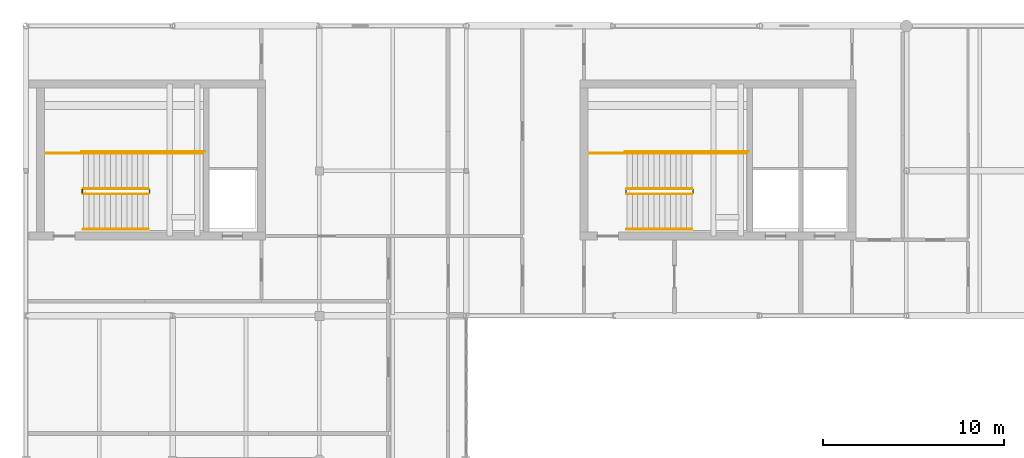
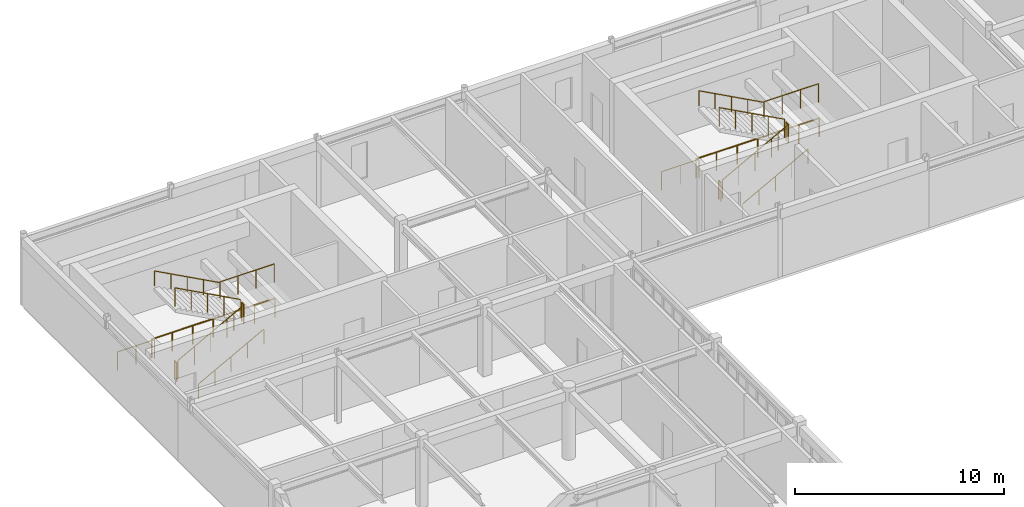
# One storey, part 17 of 18: 18 railings.
"""IFC4 building model written with IfcOpenShell, lengths in metres."""

from ifc_helpers import new_model, si_unit, direction, frame, origin, origin_2d, place, context, subcontext, project, spatial, circle, extrude, material, type_object, element, save


model = new_model("IFC4")

# Units and contexts
model_context = context("Model", 3, precision=1e-05, world=origin(), true_north=direction((0.0, 1.0)))
body_context = subcontext(model_context, "Body", "Model", "MODEL_VIEW")
ifc_project = project(units=[si_unit("LENGTHUNIT", "METRE"), si_unit("AREAUNIT", "SQUARE_METRE"), si_unit("VOLUMEUNIT", "CUBIC_METRE"), si_unit("PLANEANGLEUNIT", "RADIAN"), si_unit("MASSUNIT", "GRAM", prefix="KILO")], contexts=[model_context])

# Site, building, storey
site_placement = place(None, origin())
site = spatial("IfcSite", under=ifc_project, at=site_placement, CompositionType="ELEMENT")
building_placement = place(site_placement, origin())
building = spatial("IfcBuilding", under=site, at=building_placement, Name="Tarnveldt Square Police Headquarters", CompositionType="ELEMENT")
storey_placement = place(building_placement, frame((0.0, 0.0, 29.10009765625)))
storey = spatial("IfcBuildingStorey", under=building, at=storey_placement, Name="L06", CompositionType="ELEMENT", Elevation=29.10009765625)

# Railings
ifc_material = material(Name="Steel 350W", Category="steel")
railing_type_1 = type_object("IfcRailingType", Name="RL-GR-1100", PredefinedType="GUARDRAIL", material=ifc_material)
railing_1_placement = place(storey_placement, frame((19.3701171875, 102.719970703125, 0.161376953125)))
element("IfcRailing", 1, at=railing_1_placement, inside=storey, type_object=railing_type_1, Name="L06 ST2 stair guard 1", PredefinedType="GUARDRAIL", context=body_context, shape_type="SweptSolid", body=[
    extrude(circle(Radius=0.02392578125, at=origin_2d()), frame((0.0, 0.0, 1.076171875), z_axis=(0.880461512865, 0.0, 0.474117627138), x_axis=(0.0, 1.0, 0.0)), (0.0, 0.0, 1.0), 4.088623046875),
    extrude(circle(Radius=0.02099609375, at=origin_2d()), origin(), (0.0, 0.0, 1.0), 1.052001953125),
    extrude(circle(Radius=0.02099609375, at=origin_2d()), frame((0.89990234375, 0.0, 0.484619140625)), (0.0, 0.0, 1.0), 1.052001953125),
    extrude(circle(Radius=0.02099609375, at=origin_2d()), frame((1.7998046875, 0.0, 0.96923828125)), (0.0, 0.0, 1.0), 1.052001953125),
    extrude(circle(Radius=0.02099609375, at=origin_2d()), frame((2.699951171875, 0.0, 1.453857421875)), (0.0, 0.0, 1.0), 1.052001953125),
    extrude(circle(Radius=0.02099609375, at=origin_2d()), frame((3.599853515625, 0.0, 1.9384765625)), (0.0, 0.0, 1.0), 1.052001953125),
])
railing_2_placement = place(storey_placement, frame((23.02001953125, 102.77001953125, 2.099853515625)))
element("IfcRailing", 2, at=railing_2_placement, inside=storey, type_object=railing_type_1, Name="L06 ST2 stair guard 2", PredefinedType="GUARDRAIL", context=body_context, shape_type="SweptSolid", body=[
    extrude(circle(Radius=0.02392578125, at=origin_2d()), frame((0.0, 0.0, 1.076171875), z_axis=(0.0, 1.0, 0.0), x_axis=(-1.0, 0.0, 0.0)), (0.0, 0.0, 1.0), 0.199951171875),
    extrude(circle(Radius=0.02099609375, at=origin_2d()), origin(), (0.0, 0.0, 1.0), 1.052001953125),
    extrude(circle(Radius=0.02099609375, at=origin_2d()), frame((0.0, 0.199951171875, 0.0)), (0.0, 0.0, 1.0), 1.052001953125),
])
railing_3_placement = place(storey_placement, frame((22.969970703125, 104.969970703125, 2.099853515625)))
element("IfcRailing", 3, at=railing_3_placement, inside=storey, type_object=railing_type_1, Name="L06 ST2 stair guard 3", PredefinedType="GUARDRAIL", context=body_context, shape_type="SweptSolid", body=[
    extrude(circle(Radius=0.02392578125, at=origin_2d()), frame((0.0, 0.0, 1.076171875), z_axis=(1.0, 0.0, 0.0), x_axis=(0.0, 1.0, 0.0)), (0.0, 0.0, 1.0), 3.0),
    extrude(circle(Radius=0.02099609375, at=origin_2d()), origin(), (0.0, 0.0, 1.0), 1.052001953125),
    extrude(circle(Radius=0.02099609375, at=origin_2d()), frame((1.0, 0.0, 0.0)), (0.0, 0.0, 1.0), 1.052001953125),
    extrude(circle(Radius=0.02099609375, at=origin_2d()), frame((2.0, 0.0, 0.0)), (0.0, 0.0, 1.0), 1.052001953125),
    extrude(circle(Radius=0.02099609375, at=origin_2d()), frame((3.0, 0.0, 0.0)), (0.0, 0.0, 1.0), 1.052001953125),
])
railing_4_placement = place(storey_placement, frame((22.969970703125, 103.02001953125, 2.261474609375)))
element("IfcRailing", 4, at=railing_4_placement, inside=storey, type_object=railing_type_1, Name="L06 ST2 stair guard 4", PredefinedType="GUARDRAIL", context=body_context, shape_type="SweptSolid", body=[
    extrude(circle(Radius=0.02392578125, at=origin_2d()), frame((0.0, 0.0, 1.076171875), z_axis=(-0.880461512865, 0.0, 0.474117627138), x_axis=(0.0, -1.0, 0.0)), (0.0, 0.0, 1.0), 4.088623046875),
    extrude(circle(Radius=0.02099609375, at=origin_2d()), origin(), (0.0, 0.0, 1.0), 1.052001953125),
    extrude(circle(Radius=0.02099609375, at=origin_2d()), frame((-0.89990234375, 0.0, 0.484619140625)), (0.0, 0.0, 1.0), 1.052001953125),
    extrude(circle(Radius=0.02099609375, at=origin_2d()), frame((-1.7998046875, 0.0, 0.96923828125)), (0.0, 0.0, 1.0), 1.052001953125),
    extrude(circle(Radius=0.02099609375, at=origin_2d()), frame((-2.699951171875, 0.0, 1.453857421875)), (0.0, 0.0, 1.0), 1.052001953125),
    extrude(circle(Radius=0.02099609375, at=origin_2d()), frame((-3.599853515625, 0.0, 1.9384765625)), (0.0, 0.0, 1.0), 1.052001953125),
])
railing_5_placement = place(storey_placement, frame((19.320068359375, 102.77001953125, 0.0)))
element("IfcRailing", 5, at=railing_5_placement, inside=storey, type_object=railing_type_1, Name="L06 ST2 stair guard 5", PredefinedType="GUARDRAIL", context=body_context, shape_type="SweptSolid", body=[
    extrude(circle(Radius=0.02392578125, at=origin_2d()), frame((0.0, 0.0, 1.076171875), z_axis=(0.0, 1.0, 0.0), x_axis=(-1.0, 0.0, 0.0)), (0.0, 0.0, 1.0), 0.199951171875),
    extrude(circle(Radius=0.02099609375, at=origin_2d()), origin(), (0.0, 0.0, 1.0), 1.052001953125),
    extrude(circle(Radius=0.02099609375, at=origin_2d()), frame((0.0, 0.199951171875, 0.0)), (0.0, 0.0, 1.0), 1.052001953125),
])
railing_6_placement = place(storey_placement, frame((17.320068359375, 104.969970703125, 0.0)))
element("IfcRailing", 6, at=railing_6_placement, inside=storey, type_object=railing_type_1, Name="L06 ST2 stair guard 6", PredefinedType="GUARDRAIL", context=body_context, shape_type="SweptSolid", body=[
    extrude(circle(Radius=0.02392578125, at=origin_2d()), frame((0.0, 0.0, 1.076171875), z_axis=(1.0, 0.0, 0.0), x_axis=(0.0, 1.0, 0.0)), (0.0, 0.0, 1.0), 2.050048828125),
    extrude(circle(Radius=0.02099609375, at=origin_2d()), origin(), (0.0, 0.0, 1.0), 1.052001953125),
    extrude(circle(Radius=0.02099609375, at=origin_2d()), frame((1.02490234375, 0.0, 0.0)), (0.0, 0.0, 1.0), 1.052001953125),
    extrude(circle(Radius=0.02099609375, at=origin_2d()), frame((2.050048828125, 0.0, 0.0)), (0.0, 0.0, 1.0), 1.052001953125),
])
railing_7_placement = place(storey_placement, frame((19.27001953125, 105.070068359375, 0.0)))
element("IfcRailing", 7, at=railing_7_placement, inside=storey, type_object=railing_type_1, Name="L06 ST2 stair guard 7", PredefinedType="GUARDRAIL", context=body_context, shape_type="SweptSolid", body=[
    extrude(circle(Radius=0.02392578125, at=origin_2d()), frame((0.0, 0.0, 1.076171875), z_axis=(1.0, 0.0, 0.0), x_axis=(0.0, 1.0, 0.0)), (0.0, 0.0, 1.0), 6.800048828125),
    extrude(circle(Radius=0.02099609375, at=origin_2d()), origin(), (0.0, 0.0, 1.0), 1.052001953125),
    extrude(circle(Radius=0.02099609375, at=origin_2d()), frame((1.13330078125, 0.0, 0.0)), (0.0, 0.0, 1.0), 1.052001953125),
    extrude(circle(Radius=0.02099609375, at=origin_2d()), frame((2.2666015625, 0.0, 0.0)), (0.0, 0.0, 1.0), 1.052001953125),
    extrude(circle(Radius=0.02099609375, at=origin_2d()), frame((3.39990234375, 0.0, 0.0)), (0.0, 0.0, 1.0), 1.052001953125),
    extrude(circle(Radius=0.02099609375, at=origin_2d()), frame((4.533447265625, 0.0, 0.0)), (0.0, 0.0, 1.0), 1.052001953125),
    extrude(circle(Radius=0.02099609375, at=origin_2d()), frame((5.666748046875, 0.0, 0.0)), (0.0, 0.0, 1.0), 1.052001953125),
    extrude(circle(Radius=0.02099609375, at=origin_2d()), frame((6.800048828125, 0.0, 0.0)), (0.0, 0.0, 1.0), 1.052001953125),
])
railing_8_placement = place(storey_placement, frame((49.3701171875, 102.719970703125, 0.161376953125)))
element("IfcRailing", 8, at=railing_8_placement, inside=storey, type_object=railing_type_1, Name="L06 ST3 stair guard 1", PredefinedType="GUARDRAIL", context=body_context, shape_type="SweptSolid", body=[
    extrude(circle(Radius=0.02392578125, at=origin_2d()), frame((0.0, 0.0, 1.076171875), z_axis=(0.880461512865, 0.0, 0.474117627138), x_axis=(0.0, 1.0, 0.0)), (0.0, 0.0, 1.0), 4.088623046875),
    extrude(circle(Radius=0.02099609375, at=origin_2d()), origin(), (0.0, 0.0, 1.0), 1.052001953125),
    extrude(circle(Radius=0.02099609375, at=origin_2d()), frame((0.89990234375, 0.0, 0.484619140625)), (0.0, 0.0, 1.0), 1.052001953125),
    extrude(circle(Radius=0.02099609375, at=origin_2d()), frame((1.7998046875, 0.0, 0.96923828125)), (0.0, 0.0, 1.0), 1.052001953125),
    extrude(circle(Radius=0.02099609375, at=origin_2d()), frame((2.699951171875, 0.0, 1.453857421875)), (0.0, 0.0, 1.0), 1.052001953125),
    extrude(circle(Radius=0.02099609375, at=origin_2d()), frame((3.599853515625, 0.0, 1.9384765625)), (0.0, 0.0, 1.0), 1.052001953125),
])
railing_9_placement = place(storey_placement, frame((53.02001953125, 102.77001953125, 2.099853515625)))
element("IfcRailing", 9, at=railing_9_placement, inside=storey, type_object=railing_type_1, Name="L06 ST3 stair guard 2", PredefinedType="GUARDRAIL", context=body_context, shape_type="SweptSolid", body=[
    extrude(circle(Radius=0.02392578125, at=origin_2d()), frame((0.0, 0.0, 1.076171875), z_axis=(0.0, 1.0, 0.0), x_axis=(-1.0, 0.0, 0.0)), (0.0, 0.0, 1.0), 0.199951171875),
    extrude(circle(Radius=0.02099609375, at=origin_2d()), origin(), (0.0, 0.0, 1.0), 1.052001953125),
    extrude(circle(Radius=0.02099609375, at=origin_2d()), frame((0.0, 0.199951171875, 0.0)), (0.0, 0.0, 1.0), 1.052001953125),
])
railing_10_placement = place(storey_placement, frame((52.969970703125, 104.969970703125, 2.099853515625)))
element("IfcRailing", 10, at=railing_10_placement, inside=storey, type_object=railing_type_1, Name="L06 ST3 stair guard 3", PredefinedType="GUARDRAIL", context=body_context, shape_type="SweptSolid", body=[
    extrude(circle(Radius=0.02392578125, at=origin_2d()), frame((0.0, 0.0, 1.076171875), z_axis=(1.0, 0.0, 0.0), x_axis=(0.0, 1.0, 0.0)), (0.0, 0.0, 1.0), 3.0),
    extrude(circle(Radius=0.02099609375, at=origin_2d()), origin(), (0.0, 0.0, 1.0), 1.052001953125),
    extrude(circle(Radius=0.02099609375, at=origin_2d()), frame((1.0, 0.0, 0.0)), (0.0, 0.0, 1.0), 1.052001953125),
    extrude(circle(Radius=0.02099609375, at=origin_2d()), frame((2.0, 0.0, 0.0)), (0.0, 0.0, 1.0), 1.052001953125),
    extrude(circle(Radius=0.02099609375, at=origin_2d()), frame((3.0, 0.0, 0.0)), (0.0, 0.0, 1.0), 1.052001953125),
])
railing_11_placement = place(storey_placement, frame((52.969970703125, 103.02001953125, 2.261474609375)))
element("IfcRailing", 11, at=railing_11_placement, inside=storey, type_object=railing_type_1, Name="L06 ST3 stair guard 4", PredefinedType="GUARDRAIL", context=body_context, shape_type="SweptSolid", body=[
    extrude(circle(Radius=0.02392578125, at=origin_2d()), frame((0.0, 0.0, 1.076171875), z_axis=(-0.880461512865, 0.0, 0.474117627138), x_axis=(0.0, -1.0, 0.0)), (0.0, 0.0, 1.0), 4.088623046875),
    extrude(circle(Radius=0.02099609375, at=origin_2d()), origin(), (0.0, 0.0, 1.0), 1.052001953125),
    extrude(circle(Radius=0.02099609375, at=origin_2d()), frame((-0.89990234375, 0.0, 0.484619140625)), (0.0, 0.0, 1.0), 1.052001953125),
    extrude(circle(Radius=0.02099609375, at=origin_2d()), frame((-1.7998046875, 0.0, 0.96923828125)), (0.0, 0.0, 1.0), 1.052001953125),
    extrude(circle(Radius=0.02099609375, at=origin_2d()), frame((-2.699951171875, 0.0, 1.453857421875)), (0.0, 0.0, 1.0), 1.052001953125),
    extrude(circle(Radius=0.02099609375, at=origin_2d()), frame((-3.599853515625, 0.0, 1.9384765625)), (0.0, 0.0, 1.0), 1.052001953125),
])
railing_12_placement = place(storey_placement, frame((49.320068359375, 102.77001953125, 0.0)))
element("IfcRailing", 12, at=railing_12_placement, inside=storey, type_object=railing_type_1, Name="L06 ST3 stair guard 5", PredefinedType="GUARDRAIL", context=body_context, shape_type="SweptSolid", body=[
    extrude(circle(Radius=0.02392578125, at=origin_2d()), frame((0.0, 0.0, 1.076171875), z_axis=(0.0, 1.0, 0.0), x_axis=(-1.0, 0.0, 0.0)), (0.0, 0.0, 1.0), 0.199951171875),
    extrude(circle(Radius=0.02099609375, at=origin_2d()), origin(), (0.0, 0.0, 1.0), 1.052001953125),
    extrude(circle(Radius=0.02099609375, at=origin_2d()), frame((0.0, 0.199951171875, 0.0)), (0.0, 0.0, 1.0), 1.052001953125),
])
railing_13_placement = place(storey_placement, frame((47.320068359375, 104.969970703125, 0.0)))
element("IfcRailing", 13, at=railing_13_placement, inside=storey, type_object=railing_type_1, Name="L06 ST3 stair guard 6", PredefinedType="GUARDRAIL", context=body_context, shape_type="SweptSolid", body=[
    extrude(circle(Radius=0.02392578125, at=origin_2d()), frame((0.0, 0.0, 1.076171875), z_axis=(1.0, 0.0, 0.0), x_axis=(0.0, 1.0, 0.0)), (0.0, 0.0, 1.0), 2.050048828125),
    extrude(circle(Radius=0.02099609375, at=origin_2d()), origin(), (0.0, 0.0, 1.0), 1.052001953125),
    extrude(circle(Radius=0.02099609375, at=origin_2d()), frame((1.02490234375, 0.0, 0.0)), (0.0, 0.0, 1.0), 1.052001953125),
    extrude(circle(Radius=0.02099609375, at=origin_2d()), frame((2.050048828125, 0.0, 0.0)), (0.0, 0.0, 1.0), 1.052001953125),
])
railing_14_placement = place(storey_placement, frame((49.27001953125, 105.070068359375, 0.0)))
element("IfcRailing", 14, at=railing_14_placement, inside=storey, type_object=railing_type_1, Name="L06 ST3 stair guard 7", PredefinedType="GUARDRAIL", context=body_context, shape_type="SweptSolid", body=[
    extrude(circle(Radius=0.02392578125, at=origin_2d()), frame((0.0, 0.0, 1.076171875), z_axis=(1.0, 0.0, 0.0), x_axis=(0.0, 1.0, 0.0)), (0.0, 0.0, 1.0), 6.800048828125),
    extrude(circle(Radius=0.02099609375, at=origin_2d()), origin(), (0.0, 0.0, 1.0), 1.052001953125),
    extrude(circle(Radius=0.02099609375, at=origin_2d()), frame((1.13330078125, 0.0, 0.0)), (0.0, 0.0, 1.0), 1.052001953125),
    extrude(circle(Radius=0.02099609375, at=origin_2d()), frame((2.2666015625, 0.0, 0.0)), (0.0, 0.0, 1.0), 1.052001953125),
    extrude(circle(Radius=0.02099609375, at=origin_2d()), frame((3.39990234375, 0.0, 0.0)), (0.0, 0.0, 1.0), 1.052001953125),
    extrude(circle(Radius=0.02099609375, at=origin_2d()), frame((4.533447265625, 0.0, 0.0)), (0.0, 0.0, 1.0), 1.052001953125),
    extrude(circle(Radius=0.02099609375, at=origin_2d()), frame((5.666748046875, 0.0, 0.0)), (0.0, 0.0, 1.0), 1.052001953125),
    extrude(circle(Radius=0.02099609375, at=origin_2d()), frame((6.800048828125, 0.0, 0.0)), (0.0, 0.0, 1.0), 1.052001953125),
])
railing_type_2 = type_object("IfcRailingType", Name="RL-HR-900", PredefinedType="HANDRAIL", material=ifc_material)
railing_15_placement = place(storey_placement, frame((19.3701171875, 100.77001953125, 0.161376953125)))
element("IfcRailing", 15, at=railing_15_placement, inside=storey, type_object=railing_type_2, Name="L06 ST2 stair handrail 1", PredefinedType="HANDRAIL", context=body_context, shape_type="SweptSolid", body=[
    extrude(circle(Radius=0.02392578125, at=origin_2d()), frame((0.0, 0.0, 0.8759765625), z_axis=(0.880461512865, 0.0, 0.474117627138), x_axis=(0.0, 1.0, 0.0)), (0.0, 0.0, 1.0), 4.088623046875),
    extrude(circle(Radius=0.02099609375, at=origin_2d()), origin(), (0.0, 0.0, 1.0), 0.851806640625),
    extrude(circle(Radius=0.02099609375, at=origin_2d()), frame((0.89990234375, 0.0, 0.484619140625)), (0.0, 0.0, 1.0), 0.851806640625),
    extrude(circle(Radius=0.02099609375, at=origin_2d()), frame((1.7998046875, 0.0, 0.96923828125)), (0.0, 0.0, 1.0), 0.851806640625),
    extrude(circle(Radius=0.02099609375, at=origin_2d()), frame((2.699951171875, 0.0, 1.453857421875)), (0.0, 0.0, 1.0), 0.851806640625),
    extrude(circle(Radius=0.02099609375, at=origin_2d()), frame((3.599853515625, 0.0, 1.9384765625)), (0.0, 0.0, 1.0), 0.851806640625),
])
railing_16_placement = place(storey_placement, frame((22.969970703125, 104.969970703125, 2.261474609375)))
element("IfcRailing", 16, at=railing_16_placement, inside=storey, type_object=railing_type_2, Name="L06 ST2 stair handrail 2", PredefinedType="HANDRAIL", context=body_context, shape_type="SweptSolid", body=[
    extrude(circle(Radius=0.02392578125, at=origin_2d()), frame((0.0, 0.0, 0.8759765625), z_axis=(-0.880461512865, 0.0, 0.474117627138), x_axis=(0.0, -1.0, 0.0)), (0.0, 0.0, 1.0), 4.088623046875),
    extrude(circle(Radius=0.02099609375, at=origin_2d()), origin(), (0.0, 0.0, 1.0), 0.851806640625),
    extrude(circle(Radius=0.02099609375, at=origin_2d()), frame((-0.89990234375, 0.0, 0.484619140625)), (0.0, 0.0, 1.0), 0.851806640625),
    extrude(circle(Radius=0.02099609375, at=origin_2d()), frame((-1.7998046875, 0.0, 0.96923828125)), (0.0, 0.0, 1.0), 0.851806640625),
    extrude(circle(Radius=0.02099609375, at=origin_2d()), frame((-2.699951171875, 0.0, 1.453857421875)), (0.0, 0.0, 1.0), 0.851806640625),
    extrude(circle(Radius=0.02099609375, at=origin_2d()), frame((-3.599853515625, 0.0, 1.9384765625)), (0.0, 0.0, 1.0), 0.851806640625),
])
railing_17_placement = place(storey_placement, frame((49.3701171875, 100.77001953125, 0.161376953125)))
element("IfcRailing", 17, at=railing_17_placement, inside=storey, type_object=railing_type_2, Name="L06 ST3 stair handrail 1", PredefinedType="HANDRAIL", context=body_context, shape_type="SweptSolid", body=[
    extrude(circle(Radius=0.02392578125, at=origin_2d()), frame((0.0, 0.0, 0.8759765625), z_axis=(0.880461512865, 0.0, 0.474117627138), x_axis=(0.0, 1.0, 0.0)), (0.0, 0.0, 1.0), 4.088623046875),
    extrude(circle(Radius=0.02099609375, at=origin_2d()), origin(), (0.0, 0.0, 1.0), 0.851806640625),
    extrude(circle(Radius=0.02099609375, at=origin_2d()), frame((0.89990234375, 0.0, 0.484619140625)), (0.0, 0.0, 1.0), 0.851806640625),
    extrude(circle(Radius=0.02099609375, at=origin_2d()), frame((1.7998046875, 0.0, 0.96923828125)), (0.0, 0.0, 1.0), 0.851806640625),
    extrude(circle(Radius=0.02099609375, at=origin_2d()), frame((2.699951171875, 0.0, 1.453857421875)), (0.0, 0.0, 1.0), 0.851806640625),
    extrude(circle(Radius=0.02099609375, at=origin_2d()), frame((3.599853515625, 0.0, 1.9384765625)), (0.0, 0.0, 1.0), 0.851806640625),
])
railing_18_placement = place(storey_placement, frame((52.969970703125, 104.969970703125, 2.261474609375)))
element("IfcRailing", 18, at=railing_18_placement, inside=storey, type_object=railing_type_2, Name="L06 ST3 stair handrail 2", PredefinedType="HANDRAIL", context=body_context, shape_type="SweptSolid", body=[
    extrude(circle(Radius=0.02392578125, at=origin_2d()), frame((0.0, 0.0, 0.8759765625), z_axis=(-0.880461512865, 0.0, 0.474117627138), x_axis=(0.0, -1.0, 0.0)), (0.0, 0.0, 1.0), 4.088623046875),
    extrude(circle(Radius=0.02099609375, at=origin_2d()), origin(), (0.0, 0.0, 1.0), 0.851806640625),
    extrude(circle(Radius=0.02099609375, at=origin_2d()), frame((-0.89990234375, 0.0, 0.484619140625)), (0.0, 0.0, 1.0), 0.851806640625),
    extrude(circle(Radius=0.02099609375, at=origin_2d()), frame((-1.7998046875, 0.0, 0.96923828125)), (0.0, 0.0, 1.0), 0.851806640625),
    extrude(circle(Radius=0.02099609375, at=origin_2d()), frame((-2.699951171875, 0.0, 1.453857421875)), (0.0, 0.0, 1.0), 0.851806640625),
    extrude(circle(Radius=0.02099609375, at=origin_2d()), frame((-3.599853515625, 0.0, 1.9384765625)), (0.0, 0.0, 1.0), 0.851806640625),
])

save(model, "model.ifc")
